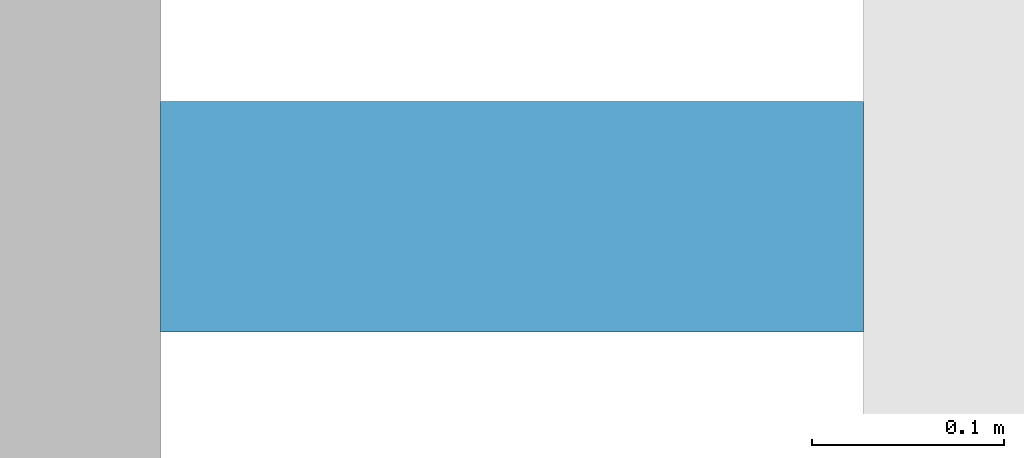
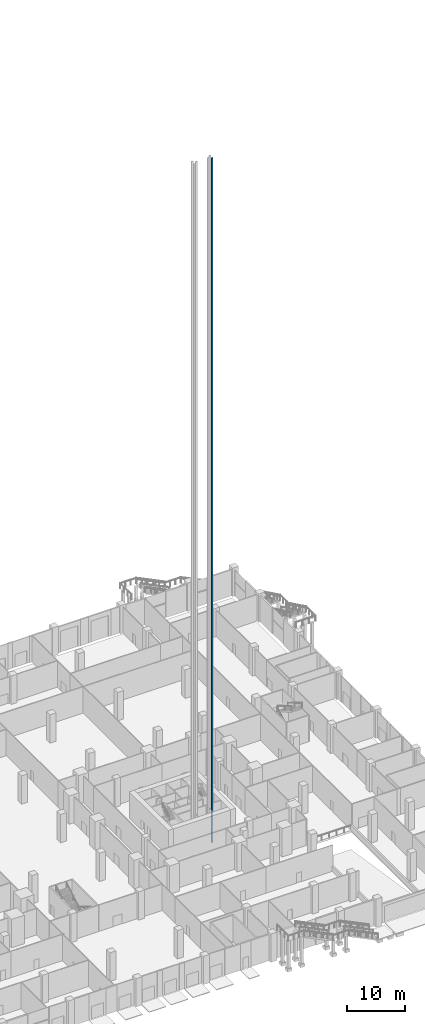
# One storey, part 55 of 68: 1 discrete accessory.
"""IFC4 building model written with IfcOpenShell, lengths in metres."""

from ifc_helpers import new_model, si_unit, direction, frame, origin, origin_2d, place, context, subcontext, project, spatial, rectangle, extrude, element, save


model = new_model("IFC4")

# Units and contexts
model_context = context("Model", 3, precision=1e-05, world=origin(), true_north=direction((0.0, 1.0)))
body_context = subcontext(model_context, "Body", "Model", "MODEL_VIEW")
ifc_project = project(units=[si_unit("LENGTHUNIT", "METRE"), si_unit("AREAUNIT", "SQUARE_METRE"), si_unit("VOLUMEUNIT", "CUBIC_METRE"), si_unit("PLANEANGLEUNIT", "RADIAN"), si_unit("MASSUNIT", "GRAM", prefix="KILO")], contexts=[model_context])

# Site, building, storey
site_placement = place(None, origin())
site = spatial("IfcSite", under=ifc_project, at=site_placement, CompositionType="ELEMENT")
building_placement = place(site_placement, origin())
building = spatial("IfcBuilding", under=site, at=building_placement, Name="Altepetl Exchange Towers", CompositionType="ELEMENT")
storey_placement = place(building_placement, origin())
storey = spatial("IfcBuildingStorey", under=building, at=storey_placement, Name="L00 Ground concourse", CompositionType="ELEMENT", Elevation=0.0)

# Discrete accessory
discrete_accessory_placement = place(storey_placement, frame((113.35009765625, 37.89990234375, -1.60009765625)))
element("IfcDiscreteAccessory", 1, at=discrete_accessory_placement, inside=storey, Name="Guide rail P3", ObjectType="GUIDE RAIL", PredefinedType="USERDEFINED", context=body_context, shape_type="SweptSolid", body=[
    extrude(rectangle(XDim=0.36669921875, YDim=0.1201171875, at=origin_2d()), origin(), (0.0, 0.0, 1.0), 144.85009765625),
])

save(model, "model.ifc")
